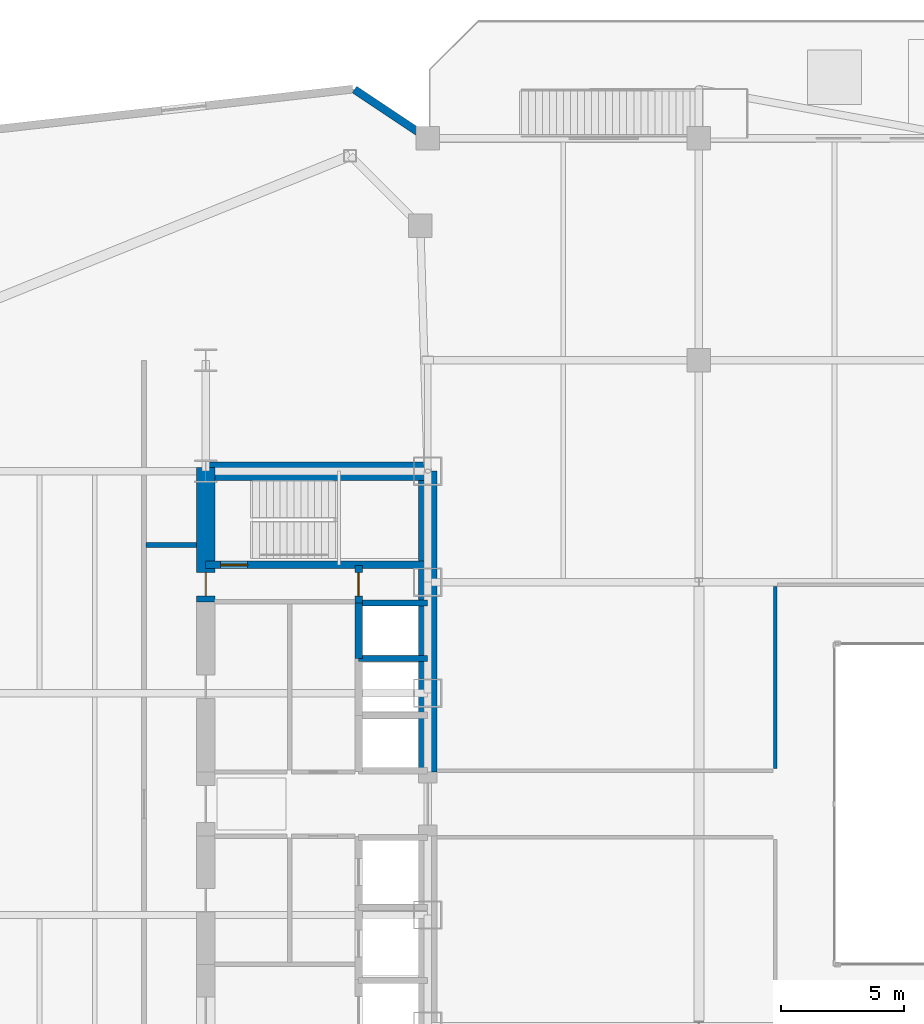
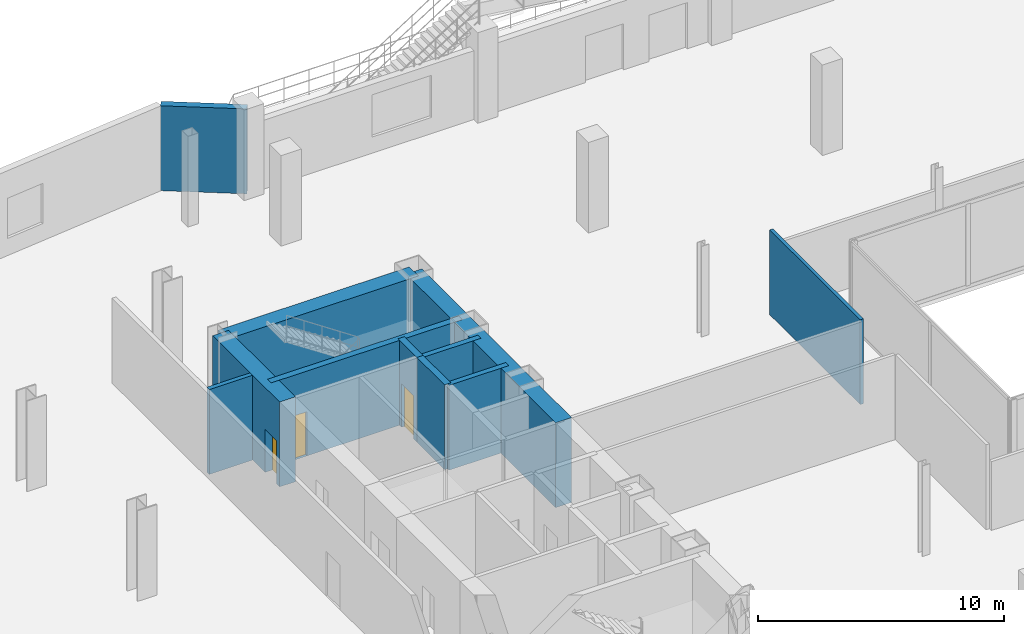
# One storey, part 16 of 25: 11 walls, 3 doors, 3 openings.
"""IFC4 building model written with IfcOpenShell, lengths in metres."""

from ifc_helpers import new_model, si_unit, direction, frame, frame_2d, origin, place, context, subcontext, project, spatial, rectangle, extrude, source, transform, mapped, material, layer, layer_set, type_object, type_shapes, element, fill, save


model = new_model("IFC4")

# Units and contexts
model_context = context("Model", 3, precision=1e-05, world=origin(), true_north=direction((0.0, 1.0)))
body_context = subcontext(model_context, "Body", "Model", "MODEL_VIEW")
ifc_project = project(units=[si_unit("LENGTHUNIT", "METRE"), si_unit("AREAUNIT", "SQUARE_METRE"), si_unit("VOLUMEUNIT", "CUBIC_METRE"), si_unit("PLANEANGLEUNIT", "RADIAN"), si_unit("MASSUNIT", "GRAM", prefix="KILO")], contexts=[model_context])

# Site, building, storey
site_placement = place(None, origin())
site = spatial("IfcSite", under=ifc_project, at=site_placement, CompositionType="ELEMENT")
building_placement = place(site_placement, origin())
building = spatial("IfcBuilding", under=site, at=building_placement, Name="Seokmaru Belvedere", CompositionType="ELEMENT")
storey_placement = place(building_placement, frame((0.0, 0.0, 5.39990234375)))
storey = spatial("IfcBuildingStorey", under=building, at=storey_placement, Name="L01", CompositionType="ELEMENT", Elevation=5.39990234375)

# Walls
ifc_material_1 = material(Name="Fire-Rated Gypsum Shaftwall")
ifc_layer_1 = layer(ifc_material_1, 0.14990234375)
ifc_layer_set_1 = layer_set([ifc_layer_1], Name="Fire-Rated Gypsum Shaftwall")
wall_type_1 = type_object("IfcWallType", Name="Apartment Fire-Acoustic Room Partition 150", PredefinedType="PARTITIONING", material=ifc_layer_set_1)
wall_1_placement = place(storey_placement, frame((-13.39990234375, 1.43505859375, 0.0), z_axis=(0.0, 0.0, 1.0), x_axis=(0.0, 1.0, 0.0)))
element("IfcWall", 1, at=wall_1_placement, inside=storey, type_object=wall_type_1, Name="L01 Interior Partition 014", PredefinedType="PARTITIONING", context=body_context, shape_type="SweptSolid", body=[
    extrude(rectangle(XDim=7.3798828125, YDim=0.14990234375, at=frame_2d((3.68994140625, 0.0))), origin(), (0.0, 0.0, 1.0), 4.22021484375),
])
ifc_material_2 = material(Name="Concrete C50 (50 MPa)", Category="concrete")
ifc_layer_2 = layer(ifc_material_2, 0.25)
ifc_layer_set_2 = layer_set([ifc_layer_2], Name="Concrete C50 (50 MPa)")
wall_type_2 = type_object("IfcWallType", Name="Hoistway Transverse Concrete Divider Wall 250", PredefinedType="SHEAR", material=ifc_layer_set_2)
for number, where, z_axis, x_axis, name in (
    (2, (-30.300048828125, 5.89990234375, 0.0), (0.0, 0.0, 1.0), (1.0, 0.0, 0.0), "L01 West Hoistway Divider Core Wall 6"),
    (3, (-30.300048828125, 8.14990234375, 0.0), (0.0, 0.0, 1.0), (1.0, 0.0, 0.0), "L01 West Hoistway Divider Core Wall 7"),
):
    element("IfcWall", number, at=place(storey_placement, frame(where, z_axis=z_axis, x_axis=x_axis)), inside=storey, type_object=wall_type_2, Name=name, PredefinedType="SHEAR", context=body_context, shape_type="SweptSolid", body=[
        extrude(rectangle(XDim=2.800048828125, YDim=0.25, at=frame_2d((1.39990234375, 0.0))), origin(), (0.0, 0.0, 1.0), 4.22021484375),
    ])
ifc_layer_3 = layer(ifc_material_1, 0.199951171875)
ifc_layer_set_3 = layer_set([ifc_layer_3], Name="Fire-Rated Gypsum Shaftwall")
wall_type_3 = type_object("IfcWallType", Name="Inter-Tenancy Fire Compartment Partition 200", PredefinedType="PARTITIONING", material=ifc_layer_set_3)
wall_2_placement = place(storey_placement, frame((-38.9150390625, 10.5, 0.0), z_axis=(0.0, 0.0, 1.0), x_axis=(1.0, 0.0, 0.0)))
element("IfcWall", 4, at=wall_2_placement, inside=storey, type_object=wall_type_3, Name="L01 Interior Partition 010", PredefinedType="PARTITIONING", context=body_context, shape_type="SweptSolid", body=[
    extrude(rectangle(XDim=2.03515625, YDim=0.199951171875, at=frame_2d((1.017578125, 0.0))), origin(), (0.0, 0.0, 1.0), 4.22021484375),
])

# Wall, opening, door
ifc_layer_4 = layer(ifc_material_2, 0.300048828125)
ifc_layer_set_4 = layer_set([ifc_layer_4], Name="Concrete C50 (50 MPa)")
wall_type_4 = type_object("IfcWallType", Name="Internal Core Stair and Hoistway Wall 300", PredefinedType="SHEAR", material=ifc_layer_set_4)
wall_3_placement = place(storey_placement, frame((-36.5, 9.699951171875, 0.0), z_axis=(0.0, 0.0, 1.0), x_axis=(1.0, 0.0, 0.0)))
wall_3 = element("IfcWall", 5, at=wall_3_placement, inside=storey, type_object=wall_type_4, Name="L01 West Stair ST-2 Enclosure Wall", PredefinedType="SHEAR", context=body_context, shape_type="SweptSolid", body=[
    extrude(rectangle(XDim=9.0, YDim=0.300048828125, at=frame_2d((4.5, 0.0))), origin(), (0.0, 0.0, 1.0), 4.22021484375),
])
opening_1_placement = place(wall_3_placement, frame((0.60009765625, 0.0, 0.0)))
opening_1 = element("IfcOpeningElement", 6, at=opening_1_placement, cuts=wall_3, Name="Opening D01", PredefinedType="OPENING", context=body_context, shape_type="SweptSolid", body=[
    extrude(rectangle(XDim=1.10009765625, YDim=2.199951171875, at=frame_2d((0.550048828125, 1.10009765625))), frame((0.0, 0.16015625, 0.0), z_axis=(0.0, -1.0, 0.0), x_axis=(1.0, 0.0, 0.0)), (0.0, 0.0, 1.0), 0.320068359375),
])
ifc_material_3 = material(Name="Fire-Rated Steel Leaf", Category="steel")
door_type_1 = type_object("IfcDoorType", Name="Special Escape Stair Smokeproof Fire Door 1100x2200", OperationType="NOTDEFINED", PredefinedType="DOOR", material=ifc_material_3)
shared_shape_1 = source(origin(), body_context, "Body", "SweptSolid", [
    extrude(rectangle(XDim=1.10009765625, YDim=2.199951171875, at=frame_2d((0.550048828125, 1.10009765625))), frame((0.0, 0.02490234375, 0.0), z_axis=(0.0, -1.0, 0.0), x_axis=(1.0, 0.0, 0.0)), (0.0, 0.0, 1.0), 0.050048828125),
])
type_shapes(door_type_1, [shared_shape_1])
door_1_placement = place(opening_1_placement, origin())
door_1 = element("IfcDoor", 7, at=door_1_placement, inside=storey, type_object=door_type_1, Name="L01 West Special Escape Stair ST-2 Door", OperationType="SINGLE_SWING_RIGHT", OverallHeight=2.199951171875, OverallWidth=1.10009765625, PredefinedType="DOOR", context=body_context, shape_type="MappedRepresentation", body=[
    mapped(shared_shape_1, transform((0.0, 0.0, 0.0), scale=1.0)),
])
fill(opening_1, door_1)

# Wall
wall_4_placement = place(storey_placement, frame((-30.300048828125, 5.89990234375, 0.0), z_axis=(0.0, 0.0, 1.0), x_axis=(0.0, 1.0, 0.0)))
element("IfcWall", 8, at=wall_4_placement, inside=storey, type_object=wall_type_4, Name="L01 West North Hoistway Wall OBS", PredefinedType="SHEAR", context=body_context, shape_type="SweptSolid", body=[
    extrude(rectangle(XDim=2.25, YDim=0.300048828125, at=frame_2d((1.125, 0.0))), origin(), (0.0, 0.0, 1.0), 4.22021484375),
])

# Wall, opening, door
wall_5_placement = place(storey_placement, frame((-30.300048828125, 8.14990234375, 0.0), z_axis=(0.0, 0.0, 1.0), x_axis=(0.0, 1.0, 0.0)))
wall_5 = element("IfcWall", 9, at=wall_5_placement, inside=storey, type_object=wall_type_4, Name="L01 West Electrical Riser Front Wall", PredefinedType="SHEAR", context=body_context, shape_type="SweptSolid", body=[
    extrude(rectangle(XDim=1.530029296875, YDim=0.300048828125, at=frame_2d((0.76513671875, 0.0))), origin(), (0.0, 0.0, 1.0), 4.22021484375),
])
opening_2_placement = place(wall_5_placement, frame((0.284912109375, 0.0, 0.0)))
opening_2 = element("IfcOpeningElement", 10, at=opening_2_placement, cuts=wall_5, Name="Opening D04", PredefinedType="OPENING", context=body_context, shape_type="SweptSolid", body=[
    extrude(rectangle(XDim=0.949951171875, YDim=2.14990234375, at=frame_2d((0.47509765625, 1.074951171875))), frame((0.0, 0.16015625, 0.0), z_axis=(0.0, -1.0, 0.0), x_axis=(1.0, 0.0, 0.0)), (0.0, 0.0, 1.0), 0.320068359375),
])
door_type_2 = type_object("IfcDoorType", Name="Core Service Room Fire Door 950x2150", OperationType="NOTDEFINED", PredefinedType="DOOR", material=ifc_material_3)
shared_shape_2 = source(origin(), body_context, "Body", "SweptSolid", [
    extrude(rectangle(XDim=0.949951171875, YDim=2.14990234375, at=frame_2d((0.47509765625, 1.074951171875))), frame((0.0, 0.02490234375, 0.0), z_axis=(0.0, -1.0, 0.0), x_axis=(1.0, 0.0, 0.0)), (0.0, 0.0, 1.0), 0.050048828125),
])
type_shapes(door_type_2, [shared_shape_2])
door_2_placement = place(opening_2_placement, origin())
door_2 = element("IfcDoor", 11, at=door_2_placement, inside=storey, type_object=door_type_2, Name="L01 West Electrical Riser Access Door", OperationType="SINGLE_SWING_LEFT", OverallHeight=2.14990234375, OverallWidth=0.949951171875, PredefinedType="DOOR", context=body_context, shape_type="MappedRepresentation", body=[
    mapped(shared_shape_2, transform((0.0, 0.0, 0.0), scale=1.0)),
])
fill(opening_2, door_2)

# Walls
ifc_material_4 = material(Name="Concrete C60 (60 MPa)", Category="concrete")
ifc_layer_5 = layer(ifc_material_4, 0.75)
ifc_layer_set_5 = layer_set([ifc_layer_5], Name="Concrete C60 (60 MPa)")
wall_type_5 = type_object("IfcWallType", Name="Lower Tower Reinforced Concrete Core Wall 750", PredefinedType="SHEAR", material=ifc_layer_set_5)
wall_6_placement = place(storey_placement, frame((-27.5, 1.300048828125, 0.0), z_axis=(0.0, 0.0, 1.0), x_axis=(0.0, 1.0, 0.0)))
element("IfcWall", 12, at=wall_6_placement, inside=storey, type_object=wall_type_5, Name="L01 West Portal Spine Core Wall North", PredefinedType="SHEAR", context=body_context, shape_type="SweptSolid", body=[
    extrude(rectangle(XDim=12.199951171875, YDim=0.75, at=frame_2d((6.10009765625, 0.0))), origin(), (0.0, 0.0, 1.0), 4.22021484375),
])
wall_7_placement = place(storey_placement, frame((-36.5, 13.5, 0.0), z_axis=(0.0, 0.0, 1.0), x_axis=(1.0, 0.0, 0.0)))
element("IfcWall", 13, at=wall_7_placement, inside=storey, type_object=wall_type_5, Name="L01 West North Core Wall", PredefinedType="SHEAR", context=body_context, shape_type="SweptSolid", body=[
    extrude(rectangle(XDim=9.0, YDim=0.75, at=frame_2d((4.5, 0.0))), origin(), (0.0, 0.0, 1.0), 4.22021484375),
])

# Wall, opening, door
wall_8_placement = place(storey_placement, frame((-36.5, 8.199951171875, 0.0), z_axis=(0.0, 0.0, 1.0), x_axis=(0.0, 1.0, 0.0)))
wall_8 = element("IfcWall", 14, at=wall_8_placement, inside=storey, type_object=wall_type_5, Name="L01 West West Core Wall VST", PredefinedType="SHEAR", context=body_context, shape_type="SweptSolid", body=[
    extrude(rectangle(XDim=5.449951171875, YDim=0.75, at=frame_2d((2.72509765625, 0.0))), origin(), (0.0, 0.0, 1.0), 4.22021484375),
])
opening_3_placement = place(wall_8_placement, frame((0.2451171875, 0.0, 0.0)))
opening_3 = element("IfcOpeningElement", 15, at=opening_3_placement, cuts=wall_8, Name="Opening D04", PredefinedType="OPENING", context=body_context, shape_type="SweptSolid", body=[
    extrude(rectangle(XDim=0.949951171875, YDim=2.14990234375, at=frame_2d((0.47509765625, 1.074951171875))), frame((0.0, 0.385009765625, 0.0), z_axis=(0.0, -1.0, 0.0), x_axis=(1.0, 0.0, 0.0)), (0.0, 0.0, 1.0), 0.77001953125),
])
door_3_placement = place(opening_3_placement, frame((0.949951171875, 0.0, 0.0), z_axis=(0.0, 0.0, 1.0), x_axis=(-1.0, 0.0, 0.0)))
door_3 = element("IfcDoor", 16, at=door_3_placement, inside=storey, type_object=door_type_2, Name="L01 West Smokeproof Vestibule Door", OperationType="SINGLE_SWING_RIGHT", OverallHeight=2.14990234375, OverallWidth=0.949951171875, PredefinedType="DOOR", context=body_context, shape_type="MappedRepresentation", body=[
    mapped(shared_shape_2, transform((0.0, 0.0, 0.0), scale=1.0)),
])
fill(opening_3, door_3)

# Wall
ifc_material_5 = material(Name="Concrete C40 (40 MPa)", Category="concrete")
ifc_layer_6 = layer(ifc_material_5, 0.320068359375)
ifc_layer_set_6 = layer_set([ifc_layer_6], Name="Concrete C40 (40 MPa)")
wall_type_6 = type_object("IfcWallType", Name="Podium Terrace Insulated Wall 320", PredefinedType="SOLIDWALL", material=ifc_layer_set_6)
wall_9_placement = place(storey_placement, frame((-27.533203125, 27.022216796875, 0.0), z_axis=(0.0, 0.0, 1.0), x_axis=(-0.832071600484, 0.554668235676, 0.0)))
element("IfcWall", 17, at=wall_9_placement, inside=storey, type_object=wall_type_6, Name="L01 Exterior Podium Wall 10", PredefinedType="SOLIDWALL", context=body_context, shape_type="SweptSolid", body=[
    extrude(rectangle(XDim=3.525634765625, YDim=0.320068359375, at=frame_2d((1.7626953125, 0.0))), origin(), (0.0, 0.0, 1.0), 4.22021484375),
])

save(model, "model.ifc")
